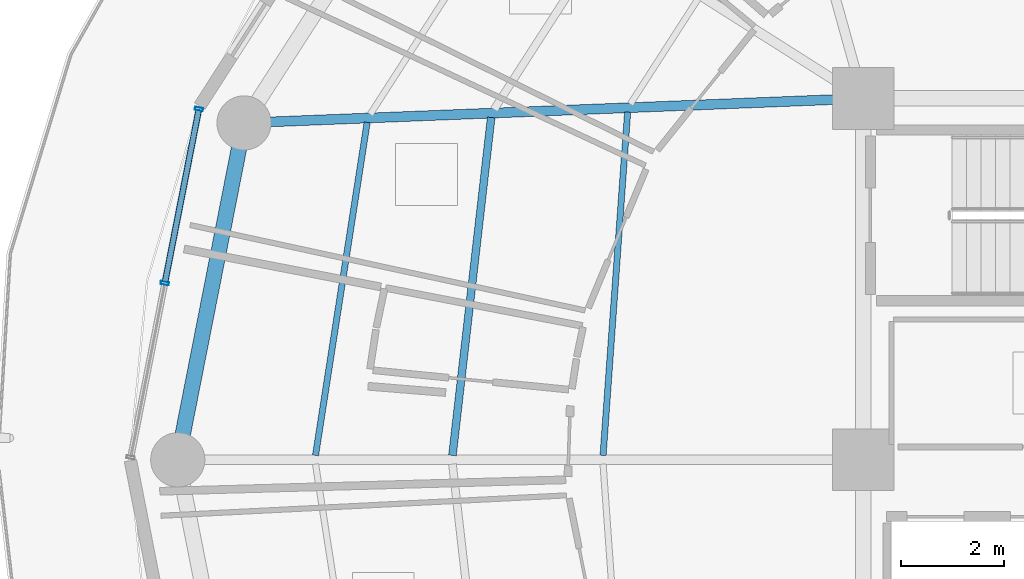
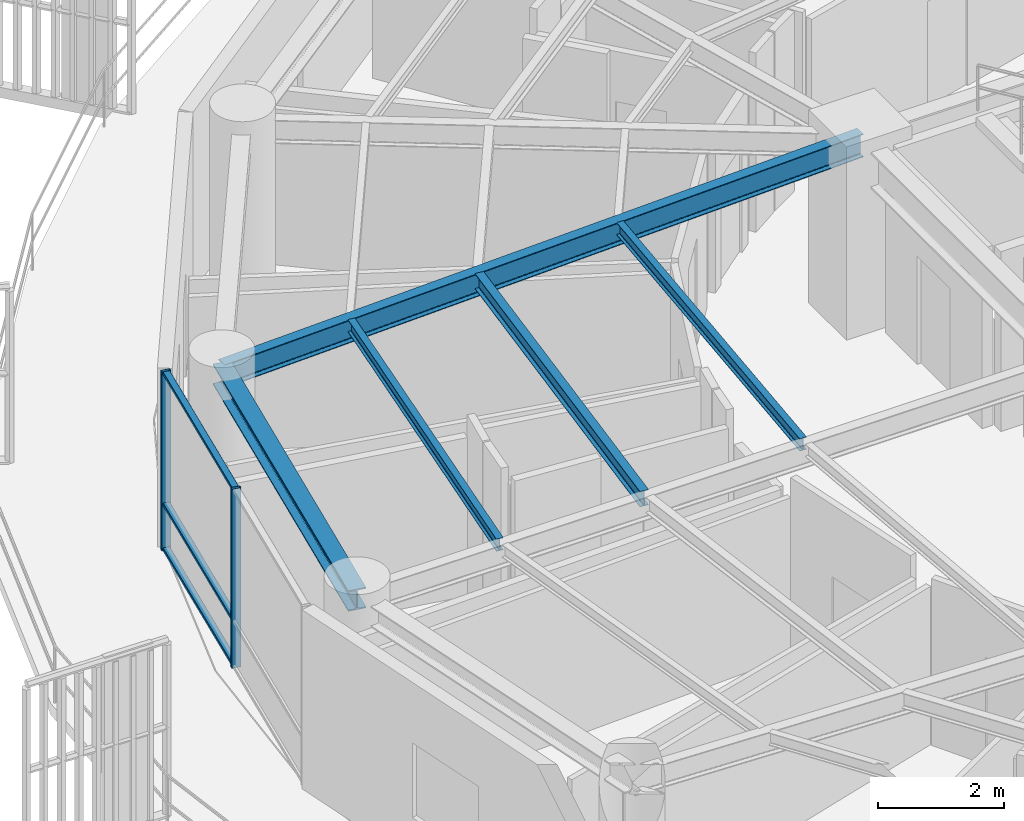
# One storey, part 8 of 30: 5 beams, 5 members, 1 element without a shape of its own.
"""IFC4 building model written with IfcOpenShell, lengths in metres."""

from ifc_helpers import new_model, si_unit, direction, frame, origin, origin_2d, place, context, subcontext, project, spatial, hollow_rectangle, i_section, extrude, material, layer, layer_set, material_profile, profile_set, type_object, element, aggregate, save


model = new_model("IFC4")

# Units and contexts
model_context = context("Model", 3, precision=1e-05, world=origin(), true_north=direction((0.0, 1.0)))
body_context = subcontext(model_context, "Body", "Model", "MODEL_VIEW")
ifc_project = project(units=[si_unit("LENGTHUNIT", "METRE"), si_unit("AREAUNIT", "SQUARE_METRE"), si_unit("VOLUMEUNIT", "CUBIC_METRE"), si_unit("PLANEANGLEUNIT", "RADIAN"), si_unit("MASSUNIT", "GRAM", prefix="KILO")], contexts=[model_context])

# Site, building, storey
site_placement = place(None, origin())
site = spatial("IfcSite", under=ifc_project, at=site_placement, CompositionType="ELEMENT")
building_placement = place(site_placement, origin())
building = spatial("IfcBuilding", under=site, at=building_placement, Name="Kelanora Arch Commons", CompositionType="ELEMENT")
storey_placement = place(building_placement, frame((0.0, 0.0, 204.449951171875)))
storey = spatial("IfcBuildingStorey", under=building, at=storey_placement, Name="L52", CompositionType="ELEMENT", Elevation=204.449951171875)

# Beams
ifc_material_1 = material(Name="Steel S355", Category="steel")
ifc_material_profile_1 = material_profile(ifc_material_1, i_section(OverallWidth=0.14990234375, OverallDepth=0.300048828125, WebThickness=0.007080078125, FlangeThickness=0.0107421875, FilletRadius=0.014892578125, at=origin_2d()), Name="IPE300")
ifc_profile_set_1 = profile_set([ifc_material_profile_1], Name="Steel S355")
beam_type_1 = type_object("IfcBeamType", Name="BM-JST-01", PredefinedType="JOIST", material=ifc_profile_set_1)
beam_1_placement = place(storey_placement, frame((58.792236328125, 64.631103515625, 3.340087890625), z_axis=(-0.113891408177, -0.993493204377, 0.0), x_axis=(0.993493204377, -0.113891408177, 0.0)))
element("IfcBeam", 1, at=beam_1_placement, inside=storey, type_object=beam_type_1, Name="Secondary Chord Joist BJB-16 L52", PredefinedType="JOIST", context=body_context, shape_type="SweptSolid", body=[
    extrude(i_section(OverallWidth=0.14990234375, OverallDepth=0.300048828125, WebThickness=0.007080078125, FlangeThickness=0.0107421875, FilletRadius=0.014892578125, at=origin_2d()), origin(), (0.0, 0.0, 1.0), 6.589599609375),
])
ifc_material_profile_2 = material_profile(ifc_material_1, i_section(OverallWidth=0.1201171875, OverallDepth=0.239990234375, WebThickness=0.006103515625, FlangeThickness=0.009765625, FilletRadius=0.014892578125, at=origin_2d()), Name="IPE240")
ifc_profile_set_2 = profile_set([ifc_material_profile_2], Name="Steel S355")
beam_type_2 = type_object("IfcBeamType", Name="BM-JST-02", PredefinedType="JOIST", material=ifc_profile_set_2)
beam_2_placement = place(storey_placement, frame((61.435302734375, 64.735107421875, 3.3701171875), z_axis=(-0.07133032136, -0.997452748382, 0.0), x_axis=(0.997452748382, -0.07133032136, 0.0)))
element("IfcBeam", 2, at=beam_2_placement, inside=storey, type_object=beam_type_2, Name="Secondary Chord Joist BJA-16 L52", PredefinedType="JOIST", context=body_context, shape_type="SweptSolid", body=[
    extrude(i_section(OverallWidth=0.1201171875, OverallDepth=0.239990234375, WebThickness=0.006103515625, FlangeThickness=0.009765625, FilletRadius=0.014892578125, at=origin_2d()), origin(), (0.0, 0.0, 1.0), 6.66748046875),
])
beam_3_placement = place(storey_placement, frame((56.3896484375, 64.53662109375, 3.3701171875), z_axis=(-0.153256756152, -0.988186402808, 0.0), x_axis=(0.988186402808, -0.153256756152, 0.0)))
element("IfcBeam", 3, at=beam_3_placement, inside=storey, type_object=beam_type_2, Name="Secondary Chord Joist BJC-16 L52", PredefinedType="JOIST", context=body_context, shape_type="SweptSolid", body=[
    extrude(i_section(OverallWidth=0.1201171875, OverallDepth=0.239990234375, WebThickness=0.006103515625, FlangeThickness=0.009765625, FilletRadius=0.014892578125, at=origin_2d()), origin(), (0.0, 0.0, 1.0), 6.52978515625),
])
ifc_material_profile_3 = material_profile(ifc_material_1, i_section(OverallWidth=0.18994140625, OverallDepth=0.449951171875, WebThickness=0.009521484375, FlangeThickness=0.0146484375, FilletRadius=0.02099609375, at=origin_2d()), Name="IPE450")
ifc_profile_set_3 = profile_set([ifc_material_profile_3], Name="Steel S355")
beam_type_3 = type_object("IfcBeamType", Name="BM-RAD-Z4", PredefinedType="BEAM", material=ifc_profile_set_3)
beam_4_placement = place(storey_placement, frame((66.0, 65.0, 3.26513671875), z_axis=(-0.999219142585, -0.03951082246, 0.0), x_axis=(0.03951082246, -0.999219142585, 0.0)))
element("IfcBeam", 4, at=beam_4_placement, inside=storey, type_object=beam_type_3, Name="Radial Floor Girder BR-16 L52", PredefinedType="BEAM", context=body_context, shape_type="SweptSolid", body=[
    extrude(i_section(OverallWidth=0.18994140625, OverallDepth=0.449951171875, WebThickness=0.009521484375, FlangeThickness=0.0146484375, FilletRadius=0.02099609375, at=origin_2d()), origin(), (0.0, 0.0, 1.0), 12.005859375),
])
ifc_material_profile_4 = material_profile(ifc_material_1, i_section(OverallWidth=0.300048828125, OverallDepth=0.39990234375, WebThickness=0.013427734375, FlangeThickness=0.02392578125, FilletRadius=0.027099609375, at=origin_2d()), Name="HEB400")
ifc_profile_set_4 = profile_set([ifc_material_profile_4], Name="Steel S355")
beam_type_4 = type_object("IfcBeamType", Name="BM-SPN-Z4", PredefinedType="SPANDREL", material=ifc_profile_set_4)
beam_5_placement = place(storey_placement, frame((54.00341796875, 64.525634765625, 3.2900390625), z_axis=(-0.192980724826, -0.981202547819, 0.0), x_axis=(0.981202547819, -0.192980724826, 0.0)))
element("IfcBeam", 5, at=beam_5_placement, inside=storey, type_object=beam_type_4, Name="Perimeter Spandrel Beam BS-16 L52", PredefinedType="SPANDREL", context=body_context, shape_type="SweptSolid", body=[
    extrude(i_section(OverallWidth=0.300048828125, OverallDepth=0.39990234375, WebThickness=0.013427734375, FlangeThickness=0.02392578125, FilletRadius=0.027099609375, at=origin_2d()), origin(), (0.0, 0.0, 1.0), 6.650634765625),
])

# Curtain wall, members
ifc_material_2 = material(Name="Terracotta ceramic-fritted low-E glass and aluminium", Category="masonry")
ifc_layer = layer(ifc_material_2, 0.175048828125)
ifc_layer_set = layer_set([ifc_layer], Name="Terracotta ceramic-fritted low-E glass and aluminium")
curtain_wall_type = type_object("IfcCurtainWallType", Name="CW-SYS-02", PredefinedType="NOTDEFINED", material=ifc_layer_set)
curtain_wall_placement = place(storey_placement, origin())
curtain_wall = element("IfcCurtainWall", 6, at=curtain_wall_placement, inside=storey, type_object=curtain_wall_type, Name="Unitised Curtain Wall L52-B08", PredefinedType="NOTDEFINED")
ifc_material_3 = material(Name="Powder-coated aluminium terracotta", Category="masonry")
ifc_material_profile_5 = material_profile(ifc_material_3, hollow_rectangle(XDim=0.159912109375, YDim=0.06005859375, WallThickness=0.0048828125, InnerFilletRadius=0.0048828125, OuterFilletRadius=0.010009765625, at=origin_2d()), Name="CWM160x60")
ifc_profile_set_5 = profile_set([ifc_material_profile_5], Name="Powder-coated aluminium terracotta")
member_type_1 = type_object("IfcMemberType", Name="CWM-STD", PredefinedType="MULLION", material=ifc_profile_set_5)
member_1_placement = place(storey_placement, frame((53.130126953125, 64.796142578125, 0.0), z_axis=(0.0, 0.0, 1.0), x_axis=(0.981381438349, -0.192068926335, 0.0)))
member_1 = element("IfcMember", 7, at=member_1_placement, type_object=member_type_1, Name="CW-02 mullion 1", PredefinedType="MULLION", context=body_context, shape_type="SweptSolid", body=[
    extrude(hollow_rectangle(XDim=0.159912109375, YDim=0.06005859375, WallThickness=0.0048828125, InnerFilletRadius=0.0048828125, OuterFilletRadius=0.010009765625, at=origin_2d()), origin(), (0.0, 0.0, 1.0), 3.47509765625),
])
member_2_placement = place(storey_placement, frame((52.469482421875, 61.420166015625, 0.0), z_axis=(0.0, 0.0, 1.0), x_axis=(0.981381438349, -0.192068926335, 0.0)))
member_2 = element("IfcMember", 8, at=member_2_placement, type_object=member_type_1, Name="CW-02 mullion 2", PredefinedType="MULLION", context=body_context, shape_type="SweptSolid", body=[
    extrude(hollow_rectangle(XDim=0.159912109375, YDim=0.06005859375, WallThickness=0.0048828125, InnerFilletRadius=0.0048828125, OuterFilletRadius=0.010009765625, at=origin_2d()), origin(), (0.0, 0.0, 1.0), 3.47509765625),
])
ifc_material_profile_6 = material_profile(ifc_material_3, hollow_rectangle(XDim=0.1201171875, YDim=0.06005859375, WallThickness=0.0048828125, InnerFilletRadius=0.0048828125, OuterFilletRadius=0.010009765625, at=origin_2d()), Name="CWT120x60")
ifc_profile_set_6 = profile_set([ifc_material_profile_6], Name="Powder-coated aluminium terracotta")
member_type_2 = type_object("IfcMemberType", Name="CWT-STD", PredefinedType="USERDEFINED", material=ifc_profile_set_6)
member_3_placement = place(storey_placement, frame((53.124267578125, 64.766845703125, 0.030029296875), z_axis=(-0.192058488005, -0.981383481207, 0.0), x_axis=(0.981383481207, -0.192058488005, 0.0)))
member_3 = element("IfcMember", 9, at=member_3_placement, type_object=member_type_2, Name="CW-02 transom 1.1", ObjectType="TRANSOM", PredefinedType="USERDEFINED", context=body_context, shape_type="SweptSolid", body=[
    extrude(hollow_rectangle(XDim=0.1201171875, YDim=0.06005859375, WallThickness=0.0048828125, InnerFilletRadius=0.0048828125, OuterFilletRadius=0.010009765625, at=origin_2d()), origin(), (0.0, 0.0, 1.0), 3.380126953125),
])
member_4_placement = place(storey_placement, frame((53.124267578125, 64.766845703125, 0.900146484375), z_axis=(-0.192058488005, -0.981383481207, 0.0), x_axis=(0.981383481207, -0.192058488005, 0.0)))
member_4 = element("IfcMember", 10, at=member_4_placement, type_object=member_type_2, Name="CW-02 transom 1.2", ObjectType="TRANSOM", PredefinedType="USERDEFINED", context=body_context, shape_type="SweptSolid", body=[
    extrude(hollow_rectangle(XDim=0.1201171875, YDim=0.06005859375, WallThickness=0.0048828125, InnerFilletRadius=0.0048828125, OuterFilletRadius=0.010009765625, at=origin_2d()), origin(), (0.0, 0.0, 1.0), 3.380126953125),
])
member_5_placement = place(storey_placement, frame((53.124267578125, 64.766845703125, 3.445068359375), z_axis=(-0.192058488005, -0.981383481207, 0.0), x_axis=(0.981383481207, -0.192058488005, 0.0)))
member_5 = element("IfcMember", 11, at=member_5_placement, type_object=member_type_2, Name="CW-02 transom 1.3", ObjectType="TRANSOM", PredefinedType="USERDEFINED", context=body_context, shape_type="SweptSolid", body=[
    extrude(hollow_rectangle(XDim=0.1201171875, YDim=0.06005859375, WallThickness=0.0048828125, InnerFilletRadius=0.0048828125, OuterFilletRadius=0.010009765625, at=origin_2d()), origin(), (0.0, 0.0, 1.0), 3.380126953125),
])
aggregate(curtain_wall, [member_1, member_2, member_3, member_4, member_5])

save(model, "model.ifc")
